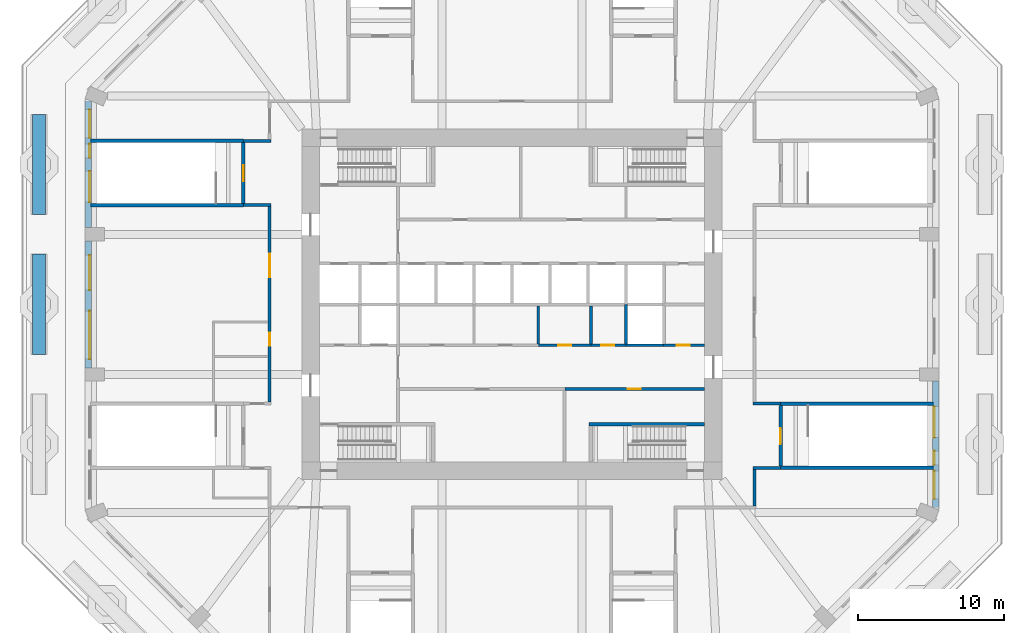
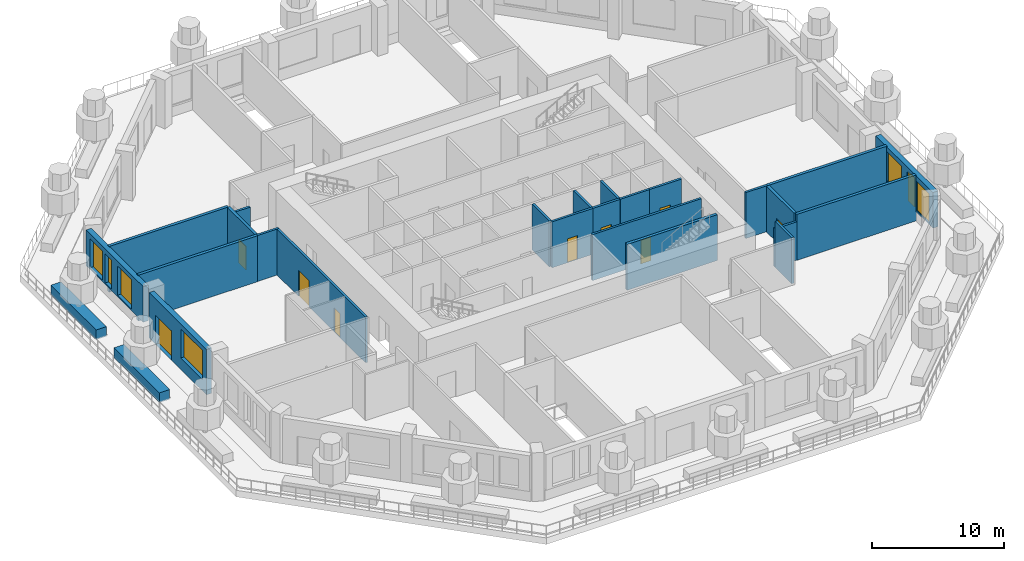
# One storey, part 5 of 13: 26 walls, 9 doors, 7 windows, 16 openings.
"""IFC4 building model written with IfcOpenShell, lengths in metres."""

import ifcopenshell
import ifcopenshell.guid

model = None  # the IFC model being written
_history = None  # IfcOwnerHistory: only IFC2X3 demands one
_inside = {}  # id of a spatial element -> (the spatial element, [elements in it])
_under = {}  # id of a project, library or spatial element -> (it, [spatial elements below it])
_declared = {}  # id of a project -> (the project, [libraries it declares])
_typed = {}  # id of a type object -> (the type object, [elements of that type])
_made_of = {}  # id of a material, layer set ... -> (it, [elements and type objects made of it])


def new_model(schema):
    """Start an empty IFC model of exactly this schema.

    Asked for "IFC4X3", IfcOpenShell would pick the latest addendum, in which some entities
    have other attributes; the version numbers below select the first issue.
    IFC2X3 requires an IfcOwnerHistory on every rooted entity: one is made here for all.
    """
    global model, _history
    if schema == "IFC4X3":
        model = ifcopenshell.file(schema_version=(4, 3, 0, 0))
    else:
        model = ifcopenshell.file(schema=schema)
    _inside.clear()
    _under.clear()
    _declared.clear()
    _typed.clear()
    _made_of.clear()
    _history = None
    if model.schema == "IFC2X3":
        org = make("IfcOrganization", Name="unknown")
        user = make(
            "IfcPersonAndOrganization",
            ThePerson=make("IfcPerson", FamilyName="unknown"),
            TheOrganization=org,
        )
        app = make(
            "IfcApplication",
            ApplicationDeveloper=org,
            Version="unknown",
            ApplicationFullName="unknown",
            ApplicationIdentifier="unknown",
        )
        _history = make(
            "IfcOwnerHistory",
            OwningUser=user,
            OwningApplication=app,
            ChangeAction="ADDED",
            CreationDate=0,
        )
    return model


def make(cls, **values):
    """One entity of the class cls with the attributes given. An attribute that is None is left unset."""
    return model.create_entity(
        cls, **{name: value for name, value in values.items() if value is not None}
    )


def rooted(cls, **values):
    """An entity with a GlobalId (a new one), such as an element, a storey or a relation."""
    return make(cls, GlobalId=ifcopenshell.guid.new(), OwnerHistory=_history, **values)


def si_unit(unit_type, name, prefix=None):
    """IfcSIUnit, for example si_unit("LENGTHUNIT", "METRE", prefix="MILLI")."""
    return make("IfcSIUnit", UnitType=unit_type, Prefix=prefix, Name=name)


def assignment(units):
    """IfcUnitAssignment: the units of a project."""
    return None if units is None else make("IfcUnitAssignment", Units=units)


def point(xyz):
    """IfcCartesianPoint."""
    return None if xyz is None else make("IfcCartesianPoint", Coordinates=xyz)


def direction(xyz):
    """IfcDirection."""
    return None if xyz is None else make("IfcDirection", DirectionRatios=xyz)


def frame(location, z_axis=None, x_axis=None):
    """IfcAxis2Placement3D, a coordinate frame: its origin and axes. An axis left out is left unset."""
    return make(
        "IfcAxis2Placement3D",
        Location=point(location),
        Axis=direction(z_axis),
        RefDirection=direction(x_axis),
    )


def frame_2d(location, x_axis=None):
    """IfcAxis2Placement2D, a coordinate frame in the plane: its origin and x axis."""
    return make(
        "IfcAxis2Placement2D", Location=point(location), RefDirection=direction(x_axis)
    )


def origin():
    """The frame at (0, 0, 0) with its axes left unset."""
    return frame((0.0, 0.0, 0.0))


def place(relative_to, where):
    """IfcLocalPlacement: puts the frame where relative to a parent placement (None: the world)."""
    return make(
        "IfcLocalPlacement", PlacementRelTo=relative_to, RelativePlacement=where
    )


def context(
    kind, dimensions, precision=None, world=None, true_north=None, identifier=None
):
    """IfcGeometricRepresentationContext, for example the 3D "Model" context."""
    return make(
        "IfcGeometricRepresentationContext",
        ContextIdentifier=identifier,
        ContextType=kind,
        CoordinateSpaceDimension=dimensions,
        Precision=precision,
        WorldCoordinateSystem=world,
        TrueNorth=true_north,
    )


def subcontext(parent, identifier, kind, view, scale=None):
    """IfcGeometricRepresentationSubContext, for example "Body" below "Model"."""
    return make(
        "IfcGeometricRepresentationSubContext",
        ContextIdentifier=identifier,
        ContextType=kind,
        ParentContext=parent,
        TargetScale=scale,
        TargetView=view,
    )


def project(units=None, contexts=None):
    """IfcProject with its units and contexts."""
    return rooted(
        "IfcProject",
        Name="project",
        RepresentationContexts=contexts,
        UnitsInContext=assignment(units),
    )


def spatial(cls, under=None, at=None, **own):
    """A site, building, storey or space (cls), placed at a placement, below another one or the project."""
    s = rooted(cls, ObjectPlacement=at, **own)
    if under is not None:
        _under.setdefault(under.id(), (under, []))[1].append(s)
    return s


def profile(cls, at=None, kind="AREA", **sizes):
    """A parametric profile (cls). Its sizes go by their IFC names, for example OverallWidth=200.0."""
    return make(cls, ProfileType=kind, Position=at, **sizes)


def rectangle(**sizes):
    """IfcRectangleProfileDef."""
    return profile("IfcRectangleProfileDef", **sizes)


def extrude(swept, where, along, depth):
    """IfcExtrudedAreaSolid: the profile swept, set in the frame where, extruded along a direction by depth."""
    return make(
        "IfcExtrudedAreaSolid",
        SweptArea=swept,
        Position=where,
        ExtrudedDirection=direction(along),
        Depth=depth,
    )


def shape(context_of_items, identifier, shape_type, items):
    """IfcShapeRepresentation: the items that make up one representation, for example the "Body"."""
    return make(
        "IfcShapeRepresentation",
        ContextOfItems=context_of_items,
        RepresentationIdentifier=identifier,
        RepresentationType=shape_type,
        Items=items,
    )


def material(Name=None, Category=None):
    """IfcMaterial."""
    return make("IfcMaterial", Name=Name, Category=Category)


def layer(
    of_material, thickness, ventilated=None, Name=None, Category=None, Priority=None
):
    """IfcMaterialLayer: one layer of a wall or slab, of a material (None: an air gap)."""
    return make(
        "IfcMaterialLayer",
        Material=of_material,
        LayerThickness=thickness,
        IsVentilated=ventilated,
        Name=Name,
        Category=Category,
        Priority=Priority,
    )


def layer_set(layers, Name=None):
    """IfcMaterialLayerSet."""
    return make("IfcMaterialLayerSet", MaterialLayers=layers, LayerSetName=Name)


def made_of(thing, what):
    """Note that an element or type object is made of a material, layer set ...; save() writes the relation."""
    if what is not None:
        _made_of.setdefault(what.id(), (what, []))[1].append(thing)
    return thing


def type_object(cls, material=None, **own):
    """A type object (cls), such as IfcWallType, which elements share."""
    return made_of(rooted(cls, **own), material)


def element(
    cls,
    number,
    at=None,
    inside=None,
    cuts=None,
    type_object=None,
    material=None,
    context=None,
    identifier="Body",
    shape_type=None,
    held_by="IfcProductDefinitionShape",
    body=None,
    shapes=None,
    **own,
):
    """One element of the class cls, such as IfcWall. Its Tag is "e" and its number.

    at: its placement. inside: the storey or other place that contains it. cuts: it is an
    opening in that element (IfcRelVoidsElement). A single representation is given by context,
    identifier, shape_type and body (its items); several are given by shapes. held_by: the class
    of the entity that holds the representations. save() writes the other relations.
    """
    e = rooted(cls, Tag="e%d" % number, ObjectPlacement=at, **own)
    if body is not None:
        shapes = [shape(context, identifier, shape_type, body)]
    if shapes is not None:
        e.Representation = make(held_by, Representations=shapes)
    if inside is not None:
        _inside.setdefault(inside.id(), (inside, []))[1].append(e)
    if cuts is not None:
        rooted(
            "IfcRelVoidsElement", RelatingBuildingElement=cuts, RelatedOpeningElement=e
        )
    if type_object is not None:
        _typed.setdefault(type_object.id(), (type_object, []))[1].append(e)
    return made_of(e, material)


def fill(opening, filler):
    """IfcRelFillsElement: the door or window that sits in an opening."""
    return rooted(
        "IfcRelFillsElement",
        RelatingOpeningElement=opening,
        RelatedBuildingElement=filler,
    )


def aggregate(whole, parts):
    """IfcRelAggregates: a whole, such as a stair, and the parts it consists of."""
    return rooted("IfcRelAggregates", RelatingObject=whole, RelatedObjects=parts)


def save(model, path):
    """Write the relations noted so far, then the file.

    IfcRelAggregates (storeys below a building ...), IfcRelContainedInSpatialStructure (elements
    in a storey), IfcRelDefinesByType, IfcRelAssociatesMaterial and IfcRelDeclares: one each for
    every whole, place, type object, material and project.
    """
    for whole, parts in _under.values():
        aggregate(whole, parts)
    for where, things in _inside.values():
        rooted(
            "IfcRelContainedInSpatialStructure",
            RelatedElements=things,
            RelatingStructure=where,
        )
    for kind, things in _typed.values():
        rooted("IfcRelDefinesByType", RelatedObjects=things, RelatingType=kind)
    for what, things in _made_of.values():
        rooted("IfcRelAssociatesMaterial", RelatedObjects=things, RelatingMaterial=what)
    for by, libraries in _declared.values():
        rooted("IfcRelDeclares", RelatingContext=by, RelatedDefinitions=libraries)
    model.write(path)


model = new_model("IFC4")

# Units and contexts
model_context = context("Model", 3, precision=1e-05, world=origin(), true_north=direction((0.0, 1.0)))
body_context = subcontext(model_context, "Body", "Model", "MODEL_VIEW")
ifc_project = project(units=[si_unit("LENGTHUNIT", "METRE"), si_unit("AREAUNIT", "SQUARE_METRE"), si_unit("VOLUMEUNIT", "CUBIC_METRE"), si_unit("PLANEANGLEUNIT", "RADIAN"), si_unit("MASSUNIT", "GRAM", prefix="KILO")], contexts=[model_context])

# Site, building, storey
site_placement = place(None, origin())
site = spatial("IfcSite", under=ifc_project, at=site_placement, CompositionType="ELEMENT")
building_placement = place(site_placement, origin())
building = spatial("IfcBuilding", under=site, at=building_placement, Name="Msitu Wima Residences", CompositionType="ELEMENT")
storey_placement = place(building_placement, frame((0.0, 0.0, 21.0)))
storey = spatial("IfcBuildingStorey", under=building, at=storey_placement, Name="L04", CompositionType="ELEMENT", Elevation=21.0)

# Wall, openings, windows
ifc_material_1 = material(Name="Brick (red buff mix), cavity wall of two leaves", Category="masonry")
ifc_layer_1 = layer(ifc_material_1, 0.449951171875)
ifc_layer_set_1 = layer_set([ifc_layer_1], Name="Brick (red buff mix), cavity wall of two leaves")
wall_type_1 = type_object("IfcWallType", Name="Brick infill wall BW450 podium", PredefinedType="ELEMENTEDWALL", material=ifc_layer_set_1)
wall_1_placement = place(storey_placement, frame((29.02490234375, -13.912841796875, 0.89990234375), z_axis=(0.0, 0.0, 1.0), x_axis=(0.0, 1.0, 0.0)))
wall_1 = element("IfcWall", 1, at=wall_1_placement, inside=storey, type_object=wall_type_1, Name="Brick infill wall L04 E0", PredefinedType="ELEMENTEDWALL", context=body_context, shape_type="SweptSolid", body=[
    extrude(rectangle(XDim=8.662841796875, YDim=0.449951171875, at=frame_2d((4.33154296875, 0.0))), origin(), (0.0, 0.0, 1.0), 3.300048828125),
])
opening_1_placement = place(wall_1_placement, frame((0.58154296875, 0.0, 0.14990234375)))
opening_1 = element("IfcOpeningElement", 2, at=opening_1_placement, cuts=wall_1, Name="Opening W04.001", PredefinedType="OPENING", context=body_context, shape_type="SweptSolid", body=[
    extrude(rectangle(XDim=1.929931640625, YDim=2.699951171875, at=frame_2d((0.96484375, 1.35009765625))), frame((0.0, 0.23486328125, 0.0), z_axis=(0.0, -1.0, 0.0), x_axis=(1.0, 0.0, 0.0)), (0.0, 0.0, 1.0), 0.469970703125),
])
opening_2_placement = place(wall_1_placement, frame((2.912841796875, 0.0, 0.14990234375)))
opening_2 = element("IfcOpeningElement", 3, at=opening_2_placement, cuts=wall_1, Name="Opening W04.002", PredefinedType="OPENING", context=body_context, shape_type="SweptSolid", body=[
    extrude(rectangle(XDim=0.969970703125, YDim=2.699951171875, at=frame_2d((0.48486328125, 1.35009765625))), frame((0.0, 0.23486328125, 0.0), z_axis=(0.0, -1.0, 0.0), x_axis=(1.0, 0.0, 0.0)), (0.0, 0.0, 1.0), 0.469970703125),
])
opening_3_placement = place(wall_1_placement, frame((4.781494140625, 0.0, 0.14990234375)))
opening_3 = element("IfcOpeningElement", 4, at=opening_3_placement, cuts=wall_1, Name="Opening W04.003", PredefinedType="OPENING", context=body_context, shape_type="SweptSolid", body=[
    extrude(rectangle(XDim=2.1298828125, YDim=2.699951171875, at=frame_2d((1.06494140625, 1.35009765625))), frame((0.0, 0.23486328125, 0.0), z_axis=(0.0, -1.0, 0.0), x_axis=(1.0, 0.0, 0.0)), (0.0, 0.0, 1.0), 0.469970703125),
])
ifc_material_2 = material(Name="Anodised aluminium, bronze finish, clear low-emissivity double glazing", Category="aluminium")
window_type_1 = type_object("IfcWindowType", Name="Window W1930x2700", PartitioningType="DOUBLE_PANEL_VERTICAL", PredefinedType="WINDOW", material=ifc_material_2)
window_1_placement = place(opening_1_placement, origin())
window_1 = element("IfcWindow", 5, at=window_1_placement, inside=storey, type_object=window_type_1, Name="Window L04 E0.1a", OverallHeight=2.699951171875, OverallWidth=1.929931640625, PartitioningType="SINGLE_PANEL", PredefinedType="WINDOW", context=body_context, shape_type="SweptSolid", body=[
    extrude(rectangle(XDim=1.929931640625, YDim=2.699951171875, at=frame_2d((0.96484375, 1.35009765625))), frame((0.0, 0.135009765625, 0.0), z_axis=(0.0, -1.0, 0.0), x_axis=(1.0, 0.0, 0.0)), (0.0, 0.0, 1.0), 0.06005859375),
])
fill(opening_1, window_1)
window_type_2 = type_object("IfcWindowType", Name="Window W2130x2700", PartitioningType="DOUBLE_PANEL_VERTICAL", PredefinedType="WINDOW", material=ifc_material_2)
window_2_placement = place(opening_3_placement, origin())
window_2 = element("IfcWindow", 6, at=window_2_placement, inside=storey, type_object=window_type_2, Name="Window L04 E0.2a", OverallHeight=2.699951171875, OverallWidth=2.1298828125, PartitioningType="SINGLE_PANEL", PredefinedType="WINDOW", context=body_context, shape_type="SweptSolid", body=[
    extrude(rectangle(XDim=2.1298828125, YDim=2.699951171875, at=frame_2d((1.06494140625, 1.35009765625))), frame((0.0, 0.135009765625, 0.0), z_axis=(0.0, -1.0, 0.0), x_axis=(1.0, 0.0, 0.0)), (0.0, 0.0, 1.0), 0.06005859375),
])
fill(opening_3, window_2)
window_type_3 = type_object("IfcWindowType", Name="Window W970x2700", PartitioningType="DOUBLE_PANEL_VERTICAL", PredefinedType="WINDOW", material=ifc_material_2)
window_3_placement = place(opening_2_placement, origin())
window_3 = element("IfcWindow", 7, at=window_3_placement, inside=storey, type_object=window_type_3, Name="Window L04 E0.1b", OverallHeight=2.699951171875, OverallWidth=0.969970703125, PartitioningType="SINGLE_PANEL", PredefinedType="WINDOW", context=body_context, shape_type="SweptSolid", body=[
    extrude(rectangle(XDim=0.969970703125, YDim=2.699951171875, at=frame_2d((0.48486328125, 1.35009765625))), frame((0.0, 0.135009765625, 0.0), z_axis=(0.0, -1.0, 0.0), x_axis=(1.0, 0.0, 0.0)), (0.0, 0.0, 1.0), 0.06005859375),
])
fill(opening_2, window_3)

wall_2_placement = place(storey_placement, frame((-29.02490234375, 13.912841796875, 0.89990234375), z_axis=(0.0, 0.0, 1.0), x_axis=(0.0, -1.0, 0.0)))
wall_2 = element("IfcWall", 8, at=wall_2_placement, inside=storey, type_object=wall_type_1, Name="Brick infill wall L04 W0", PredefinedType="ELEMENTEDWALL", context=body_context, shape_type="SweptSolid", body=[
    extrude(rectangle(XDim=8.662841796875, YDim=0.449951171875, at=frame_2d((4.33154296875, 0.0))), origin(), (0.0, 0.0, 1.0), 3.300048828125),
])
opening_4_placement = place(wall_2_placement, frame((0.58154296875, 0.0, 0.14990234375)))
opening_4 = element("IfcOpeningElement", 9, at=opening_4_placement, cuts=wall_2, Name="Opening W04.035", PredefinedType="OPENING", context=body_context, shape_type="SweptSolid", body=[
    extrude(rectangle(XDim=1.929931640625, YDim=2.699951171875, at=frame_2d((0.96484375, 1.35009765625))), frame((0.0, 0.23486328125, 0.0), z_axis=(0.0, -1.0, 0.0), x_axis=(1.0, 0.0, 0.0)), (0.0, 0.0, 1.0), 0.469970703125),
])
opening_5_placement = place(wall_2_placement, frame((2.912841796875, 0.0, 0.14990234375)))
opening_5 = element("IfcOpeningElement", 10, at=opening_5_placement, cuts=wall_2, Name="Opening W04.036", PredefinedType="OPENING", context=body_context, shape_type="SweptSolid", body=[
    extrude(rectangle(XDim=0.969970703125, YDim=2.699951171875, at=frame_2d((0.48486328125, 1.35009765625))), frame((0.0, 0.23486328125, 0.0), z_axis=(0.0, -1.0, 0.0), x_axis=(1.0, 0.0, 0.0)), (0.0, 0.0, 1.0), 0.469970703125),
])
opening_6_placement = place(wall_2_placement, frame((4.781494140625, 0.0, 0.14990234375)))
opening_6 = element("IfcOpeningElement", 11, at=opening_6_placement, cuts=wall_2, Name="Opening W04.037", PredefinedType="OPENING", context=body_context, shape_type="SweptSolid", body=[
    extrude(rectangle(XDim=2.1298828125, YDim=2.699951171875, at=frame_2d((1.06494140625, 1.35009765625))), frame((0.0, 0.23486328125, 0.0), z_axis=(0.0, -1.0, 0.0), x_axis=(1.0, 0.0, 0.0)), (0.0, 0.0, 1.0), 0.469970703125),
])
window_4_placement = place(opening_4_placement, origin())
window_4 = element("IfcWindow", 12, at=window_4_placement, inside=storey, type_object=window_type_1, Name="Window L04 W0.1a", OverallHeight=2.699951171875, OverallWidth=1.929931640625, PartitioningType="SINGLE_PANEL", PredefinedType="WINDOW", context=body_context, shape_type="SweptSolid", body=[
    extrude(rectangle(XDim=1.929931640625, YDim=2.699951171875, at=frame_2d((0.96484375, 1.35009765625))), frame((0.0, 0.135009765625, 0.0), z_axis=(0.0, -1.0, 0.0), x_axis=(1.0, 0.0, 0.0)), (0.0, 0.0, 1.0), 0.06005859375),
])
fill(opening_4, window_4)
window_5_placement = place(opening_6_placement, origin())
window_5 = element("IfcWindow", 13, at=window_5_placement, inside=storey, type_object=window_type_2, Name="Window L04 W0.2a", OverallHeight=2.699951171875, OverallWidth=2.1298828125, PartitioningType="SINGLE_PANEL", PredefinedType="WINDOW", context=body_context, shape_type="SweptSolid", body=[
    extrude(rectangle(XDim=2.1298828125, YDim=2.699951171875, at=frame_2d((1.06494140625, 1.35009765625))), frame((0.0, 0.135009765625, 0.0), z_axis=(0.0, -1.0, 0.0), x_axis=(1.0, 0.0, 0.0)), (0.0, 0.0, 1.0), 0.06005859375),
])
fill(opening_6, window_5)
window_6_placement = place(opening_5_placement, origin())
window_6 = element("IfcWindow", 14, at=window_6_placement, inside=storey, type_object=window_type_3, Name="Window L04 W0.1b", OverallHeight=2.699951171875, OverallWidth=0.969970703125, PartitioningType="SINGLE_PANEL", PredefinedType="WINDOW", context=body_context, shape_type="SweptSolid", body=[
    extrude(rectangle(XDim=0.969970703125, YDim=2.699951171875, at=frame_2d((0.48486328125, 1.35009765625))), frame((0.0, 0.135009765625, 0.0), z_axis=(0.0, -1.0, 0.0), x_axis=(1.0, 0.0, 0.0)), (0.0, 0.0, 1.0), 0.06005859375),
])
fill(opening_5, window_6)

# Wall, openings, door, window
wall_3_placement = place(storey_placement, frame((-29.02490234375, 4.35009765625, 0.0), z_axis=(0.0, 0.0, 1.0), x_axis=(0.0, -1.0, 0.0)))
wall_3 = element("IfcWall", 15, at=wall_3_placement, inside=storey, type_object=wall_type_1, Name="Brick infill wall L04 W1", PredefinedType="ELEMENTEDWALL", context=body_context, shape_type="SweptSolid", body=[
    extrude(rectangle(XDim=8.7001953125, YDim=0.449951171875, at=frame_2d((4.35009765625, 0.0))), origin(), (0.0, 0.0, 1.0), 4.199951171875),
])
opening_7_placement = place(wall_3_placement, frame((0.97509765625, 0.0, 0.0)))
opening_7 = element("IfcOpeningElement", 16, at=opening_7_placement, cuts=wall_3, Name="Opening D04.008", PredefinedType="OPENING", context=body_context, shape_type="SweptSolid", body=[
    extrude(rectangle(XDim=2.39990234375, YDim=2.699951171875, at=frame_2d((1.199951171875, 1.35009765625))), frame((0.0, 0.23486328125, 0.0), z_axis=(0.0, -1.0, 0.0), x_axis=(1.0, 0.0, 0.0)), (0.0, 0.0, 1.0), 0.469970703125),
])
opening_8_placement = place(wall_3_placement, frame((4.800048828125, 0.0, 1.050048828125)))
opening_8 = element("IfcOpeningElement", 17, at=opening_8_placement, cuts=wall_3, Name="Opening W04.038", PredefinedType="OPENING", context=body_context, shape_type="SweptSolid", body=[
    extrude(rectangle(XDim=3.300048828125, YDim=2.699951171875, at=frame_2d((1.64990234375, 1.35009765625))), frame((0.0, 0.23486328125, 0.0), z_axis=(0.0, -1.0, 0.0), x_axis=(1.0, 0.0, 0.0)), (0.0, 0.0, 1.0), 0.469970703125),
])
door_type_1 = type_object("IfcDoorType", Name="Balcony door D2400x2700", OperationType="SLIDING_TO_LEFT", PredefinedType="DOOR", material=ifc_material_2)
door_1_placement = place(opening_7_placement, origin())
door_1 = element("IfcDoor", 18, at=door_1_placement, inside=storey, type_object=door_type_1, Name="Terrace door L04 W1", OperationType="SINGLE_SWING_LEFT", OverallHeight=2.699951171875, OverallWidth=2.39990234375, PredefinedType="DOOR", context=body_context, shape_type="SweptSolid", body=[
    extrude(rectangle(XDim=2.39990234375, YDim=2.699951171875, at=frame_2d((1.199951171875, 1.35009765625))), frame((0.0, 0.1298828125, 0.0), z_axis=(0.0, -1.0, 0.0), x_axis=(1.0, 0.0, 0.0)), (0.0, 0.0, 1.0), 0.050048828125),
])
fill(opening_7, door_1)
window_type_4 = type_object("IfcWindowType", Name="Window W3300x2700", PartitioningType="DOUBLE_PANEL_VERTICAL", PredefinedType="WINDOW", material=ifc_material_2)
window_7_placement = place(opening_8_placement, origin())
window_7 = element("IfcWindow", 19, at=window_7_placement, inside=storey, type_object=window_type_4, Name="Window L04 W1.2", OverallHeight=2.699951171875, OverallWidth=3.300048828125, PartitioningType="SINGLE_PANEL", PredefinedType="WINDOW", context=body_context, shape_type="SweptSolid", body=[
    extrude(rectangle(XDim=3.300048828125, YDim=2.699951171875, at=frame_2d((1.64990234375, 1.35009765625))), frame((0.0, 0.135009765625, 0.0), z_axis=(0.0, -1.0, 0.0), x_axis=(1.0, 0.0, 0.0)), (0.0, 0.0, 1.0), 0.06005859375),
])
fill(opening_8, window_7)

# Walls
ifc_material_3 = material(Name="Plaster")
ifc_layer_2 = layer(ifc_material_3, 0.011962890625, Name="Plaster")
ifc_material_4 = material(Name="Concrete blockwork", Category="masonry")
ifc_layer_3 = layer(ifc_material_4, 0.176025390625, Name="Concrete blockwork")
ifc_layer_4 = layer(ifc_material_3, 0.011962890625, Name="Plaster")
ifc_layer_set_2 = layer_set([ifc_layer_2, ifc_layer_3, ifc_layer_4], Name="Concrete blockwork")
wall_type_2 = type_object("IfcWallType", Name="Corridor wall FW200", PredefinedType="PARTITIONING", material=ifc_layer_set_2)
wall_4_placement = place(storey_placement, frame((-18.39990234375, 6.800048828125, 0.0), z_axis=(0.0, 0.0, 1.0), x_axis=(1.0, 0.0, 0.0)))
element("IfcWall", 20, at=wall_4_placement, inside=storey, type_object=wall_type_2, Name="Corridor wall", PredefinedType="PARTITIONING", context=body_context, shape_type="SweptSolid", body=[
    extrude(rectangle(XDim=1.89990234375, YDim=0.199951171875, at=frame_2d((0.949951171875, 0.0))), origin(), (0.0, 0.0, 1.0), 4.25),
])
wall_5_placement = place(storey_placement, frame((-18.39990234375, 11.199951171875, 0.0), z_axis=(0.0, 0.0, 1.0), x_axis=(1.0, 0.0, 0.0)))
element("IfcWall", 21, at=wall_5_placement, inside=storey, type_object=wall_type_2, Name="Corridor wall", PredefinedType="PARTITIONING", context=body_context, shape_type="SweptSolid", body=[
    extrude(rectangle(XDim=1.89990234375, YDim=0.199951171875, at=frame_2d((0.949951171875, 0.0))), origin(), (0.0, 0.0, 1.0), 3.550048828125),
])

# Wall, openings, doors
wall_6_placement = place(storey_placement, frame((-16.60009765625, -6.699951171875, 0.0), z_axis=(0.0, 0.0, 1.0), x_axis=(0.0, 1.0, 0.0)))
wall_6 = element("IfcWall", 22, at=wall_6_placement, inside=storey, type_object=wall_type_2, Name="Corridor wall", PredefinedType="PARTITIONING", context=body_context, shape_type="SweptSolid", body=[
    extrude(rectangle(XDim=13.39990234375, YDim=0.199951171875, at=frame_2d((6.699951171875, 0.0))), origin(), (0.0, 0.0, 1.0), 4.25),
])
opening_9_placement = place(wall_6_placement, frame((8.550048828125, 0.0, 0.0)))
opening_9 = element("IfcOpeningElement", 23, at=opening_9_placement, cuts=wall_6, Name="Opening D04.029", PredefinedType="OPENING", context=body_context, shape_type="SweptSolid", body=[
    extrude(rectangle(XDim=1.60009765625, YDim=2.39990234375, at=frame_2d((0.800048828125, 1.199951171875))), frame((0.0, 0.10986328125, 0.0), z_axis=(0.0, -1.0, 0.0), x_axis=(1.0, 0.0, 0.0)), (0.0, 0.0, 1.0), 0.219970703125),
])
opening_10_placement = place(wall_6_placement, frame((3.85009765625, 0.0, 0.0)))
opening_10 = element("IfcOpeningElement", 24, at=opening_10_placement, cuts=wall_6, Name="Opening D04.035", PredefinedType="OPENING", context=body_context, shape_type="SweptSolid", body=[
    extrude(rectangle(XDim=0.89990234375, YDim=2.199951171875, at=frame_2d((0.449951171875, 1.10009765625))), frame((0.0, 0.10986328125, 0.0), z_axis=(0.0, -1.0, 0.0), x_axis=(1.0, 0.0, 0.0)), (0.0, 0.0, 1.0), 0.219970703125),
])
ifc_material_5 = material(Name="Black aluminium glazed door", Category="aluminium")
door_type_2 = type_object("IfcDoorType", Name="Amenity door D10 1600x2400", OperationType="DOUBLE_DOOR_SINGLE_SWING", PredefinedType="DOOR", material=ifc_material_5)
door_2_placement = place(opening_9_placement, origin())
door_2 = element("IfcDoor", 25, at=door_2_placement, inside=storey, type_object=door_type_2, Name="Amenity door", OperationType="DOUBLE_DOOR_SINGLE_SWING", OverallHeight=2.39990234375, OverallWidth=1.60009765625, PredefinedType="DOOR", context=body_context, shape_type="SweptSolid", body=[
    extrude(rectangle(XDim=1.60009765625, YDim=2.39990234375, at=frame_2d((0.800048828125, 1.199951171875))), frame((0.0, 0.02490234375, 0.0), z_axis=(0.0, -1.0, 0.0), x_axis=(1.0, 0.0, 0.0)), (0.0, 0.0, 1.0), 0.050048828125),
])
fill(opening_9, door_2)
ifc_material_6 = material(Name="Timber flush door, moisture resistant", Category="wood")
door_type_3 = type_object("IfcDoorType", Name="Bathroom door D03 900x2200", OperationType="SINGLE_SWING_LEFT", PredefinedType="DOOR", material=ifc_material_6)
door_3_placement = place(opening_10_placement, origin())
door_3 = element("IfcDoor", 26, at=door_3_placement, inside=storey, type_object=door_type_3, Name="Bathroom door", OperationType="SINGLE_SWING_LEFT", OverallHeight=2.199951171875, OverallWidth=0.89990234375, PredefinedType="DOOR", context=body_context, shape_type="SweptSolid", body=[
    extrude(rectangle(XDim=0.89990234375, YDim=2.199951171875, at=frame_2d((0.449951171875, 1.10009765625))), frame((0.0, 0.02490234375, 0.0), z_axis=(0.0, -1.0, 0.0), x_axis=(1.0, 0.0, 0.0)), (0.0, 0.0, 1.0), 0.050048828125),
])
fill(opening_10, door_3)

# Wall, opening, door
wall_7_placement = place(storey_placement, frame((3.6201171875, -5.800048828125, 0.0), z_axis=(0.0, 0.0, 1.0), x_axis=(1.0, 0.0, 0.0)))
wall_7 = element("IfcWall", 27, at=wall_7_placement, inside=storey, type_object=wall_type_2, Name="Corridor wall", PredefinedType="PARTITIONING", context=body_context, shape_type="SweptSolid", body=[
    extrude(rectangle(XDim=9.5498046875, YDim=0.199951171875, at=frame_2d((4.77490234375, 0.0))), origin(), (0.0, 0.0, 1.0), 4.25),
])
opening_11_placement = place(wall_7_placement, frame((4.300048828125, 0.0, 0.0)))
opening_11 = element("IfcOpeningElement", 28, at=opening_11_placement, cuts=wall_7, Name="Opening D04.016", PredefinedType="OPENING", context=body_context, shape_type="SweptSolid", body=[
    extrude(rectangle(XDim=0.89990234375, YDim=2.199951171875, at=frame_2d((0.449951171875, 1.10009765625))), frame((0.0, 0.10986328125, 0.0), z_axis=(0.0, -1.0, 0.0), x_axis=(1.0, 0.0, 0.0)), (0.0, 0.0, 1.0), 0.219970703125),
])
ifc_material_7 = material(Name="Timber flush door", Category="wood")
door_type_4 = type_object("IfcDoorType", Name="Service door D05 900x2200", OperationType="SINGLE_SWING_LEFT", PredefinedType="DOOR", material=ifc_material_7)
door_4_placement = place(opening_11_placement, origin())
door_4 = element("IfcDoor", 29, at=door_4_placement, inside=storey, type_object=door_type_4, Name="Service door", OperationType="SINGLE_SWING_RIGHT", OverallHeight=2.199951171875, OverallWidth=0.89990234375, PredefinedType="DOOR", context=body_context, shape_type="SweptSolid", body=[
    extrude(rectangle(XDim=0.89990234375, YDim=2.199951171875, at=frame_2d((0.449951171875, 1.10009765625))), frame((0.0, 0.02490234375, 0.0), z_axis=(0.0, -1.0, 0.0), x_axis=(1.0, 0.0, 0.0)), (0.0, 0.0, 1.0), 0.050048828125),
])
fill(opening_11, door_4)

wall_8_placement = place(storey_placement, frame((5.419921875, -2.800048828125, 0.0), z_axis=(0.0, 0.0, 1.0), x_axis=(1.0, 0.0, 0.0)))
wall_8 = element("IfcWall", 30, at=wall_8_placement, inside=storey, type_object=wall_type_2, Name="Corridor wall", PredefinedType="PARTITIONING", context=body_context, shape_type="SweptSolid", body=[
    extrude(rectangle(XDim=2.380126953125, YDim=0.199951171875, at=frame_2d((1.18994140625, 0.0))), origin(), (0.0, 0.0, 1.0), 4.25),
])
opening_12_placement = place(wall_8_placement, frame((0.699951171875, 0.0, 0.0)))
opening_12 = element("IfcOpeningElement", 31, at=opening_12_placement, cuts=wall_8, Name="Opening D04.022", PredefinedType="OPENING", context=body_context, shape_type="SweptSolid", body=[
    extrude(rectangle(XDim=0.89990234375, YDim=2.199951171875, at=frame_2d((0.449951171875, 1.10009765625))), frame((0.0, 0.10986328125, 0.0), z_axis=(0.0, -1.0, 0.0), x_axis=(1.0, 0.0, 0.0)), (0.0, 0.0, 1.0), 0.219970703125),
])
door_5_placement = place(opening_12_placement, origin())
door_5 = element("IfcDoor", 32, at=door_5_placement, inside=storey, type_object=door_type_4, Name="Service door", OperationType="SINGLE_SWING_LEFT", OverallHeight=2.199951171875, OverallWidth=0.89990234375, PredefinedType="DOOR", context=body_context, shape_type="SweptSolid", body=[
    extrude(rectangle(XDim=0.89990234375, YDim=2.199951171875, at=frame_2d((0.449951171875, 1.10009765625))), frame((0.0, 0.02490234375, 0.0), z_axis=(0.0, -1.0, 0.0), x_axis=(1.0, 0.0, 0.0)), (0.0, 0.0, 1.0), 0.050048828125),
])
fill(opening_12, door_5)

# Walls
wall_9_placement = place(storey_placement, frame((16.60009765625, -13.8134765625, 0.0), z_axis=(0.0, 0.0, 1.0), x_axis=(0.0, 1.0, 0.0)))
element("IfcWall", 33, at=wall_9_placement, inside=storey, type_object=wall_type_2, Name="Corridor wall", PredefinedType="PARTITIONING", context=body_context, shape_type="SweptSolid", body=[
    extrude(rectangle(XDim=2.513427734375, YDim=0.199951171875, at=frame_2d((1.2568359375, 0.0))), origin(), (0.0, 0.0, 1.0), 4.25),
])
wall_10_placement = place(storey_placement, frame((16.5, -11.199951171875, 0.0), z_axis=(0.0, 0.0, 1.0), x_axis=(1.0, 0.0, 0.0)))
element("IfcWall", 34, at=wall_10_placement, inside=storey, type_object=wall_type_2, Name="Corridor wall", PredefinedType="PARTITIONING", context=body_context, shape_type="SweptSolid", body=[
    extrude(rectangle(XDim=1.89990234375, YDim=0.199951171875, at=frame_2d((0.949951171875, 0.0))), origin(), (0.0, 0.0, 1.0), 3.550048828125),
])
wall_11_placement = place(storey_placement, frame((16.5, -6.800048828125, 0.0), z_axis=(0.0, 0.0, 1.0), x_axis=(1.0, 0.0, 0.0)))
element("IfcWall", 35, at=wall_11_placement, inside=storey, type_object=wall_type_2, Name="Corridor wall", PredefinedType="PARTITIONING", context=body_context, shape_type="SweptSolid", body=[
    extrude(rectangle(XDim=1.89990234375, YDim=0.199951171875, at=frame_2d((0.949951171875, 0.0))), origin(), (0.0, 0.0, 1.0), 4.25),
])

# Wall, opening, door
ifc_layer_5 = layer(ifc_material_3, 0.011962890625, Name="Plaster")
ifc_material_8 = material(Name="Reinforced concrete blockwork", Category="masonry")
ifc_layer_6 = layer(ifc_material_8, 0.176025390625, Name="Reinforced concrete blockwork")
ifc_layer_7 = layer(ifc_material_3, 0.011962890625, Name="Plaster")
ifc_layer_set_3 = layer_set([ifc_layer_5, ifc_layer_6, ifc_layer_7], Name="Reinforced concrete blockwork")
wall_type_3 = type_object("IfcWallType", Name="Plant and riser wall PL200", PredefinedType="PARTITIONING", material=ifc_layer_set_3)
wall_12_placement = place(storey_placement, frame((1.820068359375, -2.800048828125, 0.0), z_axis=(0.0, 0.0, 1.0), x_axis=(1.0, 0.0, 0.0)))
wall_12 = element("IfcWall", 36, at=wall_12_placement, inside=storey, type_object=wall_type_3, Name="Plant and riser wall", PredefinedType="PARTITIONING", context=body_context, shape_type="SweptSolid", body=[
    extrude(rectangle(XDim=3.599853515625, YDim=0.199951171875, at=frame_2d((1.7998046875, 0.0))), origin(), (0.0, 0.0, 1.0), 4.25),
])
opening_13_placement = place(wall_12_placement, frame((1.35009765625, 0.0, 0.0)))
opening_13 = element("IfcOpeningElement", 37, at=opening_13_placement, cuts=wall_12, Name="Opening D04.021", PredefinedType="OPENING", context=body_context, shape_type="SweptSolid", body=[
    extrude(rectangle(XDim=0.89990234375, YDim=2.199951171875, at=frame_2d((0.449951171875, 1.10009765625))), frame((0.0, 0.10986328125, 0.0), z_axis=(0.0, -1.0, 0.0), x_axis=(1.0, 0.0, 0.0)), (0.0, 0.0, 1.0), 0.219970703125),
])
door_6_placement = place(opening_13_placement, origin())
door_6 = element("IfcDoor", 38, at=door_6_placement, inside=storey, type_object=door_type_4, Name="Service door", OperationType="SINGLE_SWING_RIGHT", OverallHeight=2.199951171875, OverallWidth=0.89990234375, PredefinedType="DOOR", context=body_context, shape_type="SweptSolid", body=[
    extrude(rectangle(XDim=0.89990234375, YDim=2.199951171875, at=frame_2d((0.449951171875, 1.10009765625))), frame((0.0, 0.02490234375, 0.0), z_axis=(0.0, -1.0, 0.0), x_axis=(1.0, 0.0, 0.0)), (0.0, 0.0, 1.0), 0.050048828125),
])
fill(opening_13, door_6)

# Walls
for number, where, z_axis, x_axis, name in (
    (39, (1.800048828125, -2.699951171875, 0.0), (0.0, 0.0, 1.0), (0.0, 1.0, 0.0), "Plant and riser wall"),
    (40, (5.39990234375, -2.699951171875, 0.0), (0.0, 0.0, 1.0), (0.0, 1.0, 0.0), "Plant and riser wall"),
):
    element("IfcWall", number, at=place(storey_placement, frame(where, z_axis=z_axis, x_axis=x_axis)), inside=storey, type_object=wall_type_3, Name=name, PredefinedType="PARTITIONING", context=body_context, shape_type="SweptSolid", body=[
        extrude(rectangle(XDim=2.599853515625, YDim=0.199951171875, at=frame_2d((1.2998046875, 0.0))), origin(), (0.0, 0.0, 1.0), 4.25),
    ])

# Wall, opening, door
wall_13_placement = place(storey_placement, frame((10.3798828125, -2.800048828125, 0.0), z_axis=(0.0, 0.0, 1.0), x_axis=(1.0, 0.0, 0.0)))
wall_13 = element("IfcWall", 41, at=wall_13_placement, inside=storey, type_object=wall_type_3, Name="Plant and riser wall", PredefinedType="PARTITIONING", context=body_context, shape_type="SweptSolid", body=[
    extrude(rectangle(XDim=2.7900390625, YDim=0.199951171875, at=frame_2d((1.39501953125, 0.0))), origin(), (0.0, 0.0, 1.0), 4.25),
])
opening_14_placement = place(wall_13_placement, frame((0.89990234375, 0.0, 0.0)))
opening_14 = element("IfcOpeningElement", 42, at=opening_14_placement, cuts=wall_13, Name="Opening D04.009", PredefinedType="OPENING", context=body_context, shape_type="SweptSolid", body=[
    extrude(rectangle(XDim=0.89990234375, YDim=2.199951171875, at=frame_2d((0.449951171875, 1.10009765625))), frame((0.0, 0.10986328125, 0.0), z_axis=(0.0, -1.0, 0.0), x_axis=(1.0, 0.0, 0.0)), (0.0, 0.0, 1.0), 0.219970703125),
])
door_7_placement = place(opening_14_placement, origin())
door_7 = element("IfcDoor", 43, at=door_7_placement, inside=storey, type_object=door_type_4, Name="Service door", OperationType="SINGLE_SWING_LEFT", OverallHeight=2.199951171875, OverallWidth=0.89990234375, PredefinedType="DOOR", context=body_context, shape_type="SweptSolid", body=[
    extrude(rectangle(XDim=0.89990234375, YDim=2.199951171875, at=frame_2d((0.449951171875, 1.10009765625))), frame((0.0, 0.02490234375, 0.0), z_axis=(0.0, -1.0, 0.0), x_axis=(1.0, 0.0, 0.0)), (0.0, 0.0, 1.0), 0.050048828125),
])
fill(opening_14, door_7)

# Walls
ifc_material_9 = material(Name="Fire-rated board")
ifc_layer_8 = layer(ifc_material_9, 0.02490234375, Name="Fire-rated board")
ifc_material_10 = material(Name="Light-gauge stud framing with mineral wool")
ifc_layer_9 = layer(ifc_material_10, 0.14990234375, Name="Light-gauge stud framing with mineral wool")
ifc_layer_10 = layer(ifc_material_9, 0.02490234375, Name="Fire-rated board")
ifc_layer_set_4 = layer_set([ifc_layer_8, ifc_layer_9, ifc_layer_10], Name="Light-gauge stud framing with mineral wool")
wall_type_4 = type_object("IfcWallType", Name="Shaft wall SH200", PredefinedType="PARTITIONING", material=ifc_layer_set_4)
wall_14_placement = place(storey_placement, frame((7.800048828125, -2.699951171875, 0.0), z_axis=(0.0, 0.0, 1.0), x_axis=(0.0, 1.0, 0.0)))
element("IfcWall", 44, at=wall_14_placement, inside=storey, type_object=wall_type_4, Name="Shaft wall", PredefinedType="PARTITIONING", context=body_context, shape_type="SweptSolid", body=[
    extrude(rectangle(XDim=2.699951171875, YDim=0.199951171875, at=frame_2d((1.35009765625, 0.0))), origin(), (0.0, 0.0, 1.0), 4.25),
])
wall_15_placement = place(storey_placement, frame((7.800048828125, -2.800048828125, 0.0), z_axis=(0.0, 0.0, 1.0), x_axis=(1.0, 0.0, 0.0)))
element("IfcWall", 45, at=wall_15_placement, inside=storey, type_object=wall_type_4, Name="Shaft wall", PredefinedType="PARTITIONING", context=body_context, shape_type="SweptSolid", body=[
    extrude(rectangle(XDim=2.579833984375, YDim=0.199951171875, at=frame_2d((1.2900390625, 0.0))), origin(), (0.0, 0.0, 1.0), 4.25),
])
ifc_material_11 = material(Name="Concrete C50/60", Category="concrete")
ifc_layer_11 = layer(ifc_material_11, 0.25)
ifc_layer_set_5 = layer_set([ifc_layer_11], Name="Concrete C50/60")
wall_type_5 = type_object("IfcWallType", Name="Stair enclosure wall SW250", PredefinedType="SHEAR", material=ifc_layer_set_5)
for number, where, z_axis, x_axis, name in (
    (46, (-28.85498046875, 6.800048828125, 0.0), (0.0, 0.0, 1.0), (1.0, 0.0, 0.0), "Stair enclosure wall"),
    (47, (-28.85498046875, 11.199951171875, 0.0), (0.0, 0.0, 1.0), (1.0, 0.0, 0.0), "Stair enclosure wall"),
):
    element("IfcWall", number, at=place(storey_placement, frame(where, z_axis=z_axis, x_axis=x_axis)), inside=storey, type_object=wall_type_5, Name=name, PredefinedType="SHEAR", context=body_context, shape_type="SweptSolid", body=[
        extrude(rectangle(XDim=10.455078125, YDim=0.25, at=frame_2d((5.2275390625, 0.0))), origin(), (0.0, 0.0, 1.0), 4.25),
    ])

# Wall, opening, door
wall_16_placement = place(storey_placement, frame((-18.39990234375, 6.925048828125, 0.0), z_axis=(0.0, 0.0, 1.0), x_axis=(0.0, 1.0, 0.0)))
wall_16 = element("IfcWall", 48, at=wall_16_placement, inside=storey, type_object=wall_type_5, Name="Stair enclosure wall", PredefinedType="SHEAR", context=body_context, shape_type="SweptSolid", body=[
    extrude(rectangle(XDim=4.14990234375, YDim=0.25, at=frame_2d((2.074951171875, 0.0))), origin(), (0.0, 0.0, 1.0), 4.25),
])
opening_15_placement = place(wall_16_placement, frame((1.5, 0.0, 0.0)))
opening_15 = element("IfcOpeningElement", 49, at=opening_15_placement, cuts=wall_16, Name="Opening D04.044", PredefinedType="OPENING", context=body_context, shape_type="SweptSolid", body=[
    extrude(rectangle(XDim=1.10009765625, YDim=2.199951171875, at=frame_2d((0.550048828125, 1.10009765625))), frame((0.0, 0.135009765625, 0.0), z_axis=(0.0, -1.0, 0.0), x_axis=(1.0, 0.0, 0.0)), (0.0, 0.0, 1.0), 0.27001953125),
])
ifc_material_12 = material(Name="Steel door, fire resisting, panic bar", Category="steel")
door_type_5 = type_object("IfcDoorType", Name="Stair door D13 1100x2200", OperationType="SINGLE_SWING_LEFT", PredefinedType="DOOR", material=ifc_material_12)
door_8_placement = place(opening_15_placement, origin())
door_8 = element("IfcDoor", 50, at=door_8_placement, inside=storey, type_object=door_type_5, Name="Stair door", OperationType="SINGLE_SWING_LEFT", OverallHeight=2.199951171875, OverallWidth=1.10009765625, PredefinedType="DOOR", context=body_context, shape_type="SweptSolid", body=[
    extrude(rectangle(XDim=1.10009765625, YDim=2.199951171875, at=frame_2d((0.550048828125, 1.10009765625))), frame((0.0, 0.02490234375, 0.0), z_axis=(0.0, -1.0, 0.0), x_axis=(1.0, 0.0, 0.0)), (0.0, 0.0, 1.0), 0.050048828125),
])
fill(opening_15, door_8)

# Wall
wall_17_placement = place(storey_placement, frame((5.27490234375, -8.199951171875, 0.0), z_axis=(0.0, 0.0, 1.0), x_axis=(1.0, 0.0, 0.0)))
element("IfcWall", 51, at=wall_17_placement, inside=storey, type_object=wall_type_5, Name="Stair enclosure wall", PredefinedType="SHEAR", context=body_context, shape_type="SweptSolid", body=[
    extrude(rectangle(XDim=7.89501953125, YDim=0.25, at=frame_2d((3.947509765625, 0.0))), origin(), (0.0, 0.0, 1.0), 4.25),
])

# Wall, opening, door
wall_18_placement = place(storey_placement, frame((18.39990234375, -11.074951171875, 0.0), z_axis=(0.0, 0.0, 1.0), x_axis=(0.0, 1.0, 0.0)))
wall_18 = element("IfcWall", 52, at=wall_18_placement, inside=storey, type_object=wall_type_5, Name="Stair enclosure wall", PredefinedType="SHEAR", context=body_context, shape_type="SweptSolid", body=[
    extrude(rectangle(XDim=4.14990234375, YDim=0.25, at=frame_2d((2.074951171875, 0.0))), origin(), (0.0, 0.0, 1.0), 4.25),
])
opening_16_placement = place(wall_18_placement, frame((1.5, 0.0, 0.0)))
opening_16 = element("IfcOpeningElement", 53, at=opening_16_placement, cuts=wall_18, Name="Opening D04.040", PredefinedType="OPENING", context=body_context, shape_type="SweptSolid", body=[
    extrude(rectangle(XDim=1.10009765625, YDim=2.199951171875, at=frame_2d((0.550048828125, 1.10009765625))), frame((0.0, 0.135009765625, 0.0), z_axis=(0.0, -1.0, 0.0), x_axis=(1.0, 0.0, 0.0)), (0.0, 0.0, 1.0), 0.27001953125),
])
door_9_placement = place(opening_16_placement, origin())
door_9 = element("IfcDoor", 54, at=door_9_placement, inside=storey, type_object=door_type_5, Name="Stair door", OperationType="SINGLE_SWING_RIGHT", OverallHeight=2.199951171875, OverallWidth=1.10009765625, PredefinedType="DOOR", context=body_context, shape_type="SweptSolid", body=[
    extrude(rectangle(XDim=1.10009765625, YDim=2.199951171875, at=frame_2d((0.550048828125, 1.10009765625))), frame((0.0, 0.02490234375, 0.0), z_axis=(0.0, -1.0, 0.0), x_axis=(1.0, 0.0, 0.0)), (0.0, 0.0, 1.0), 0.050048828125),
])
fill(opening_16, door_9)

# Walls
for number, where, z_axis, x_axis, name in (
    (55, (18.39990234375, -11.199951171875, 0.0), (0.0, 0.0, 1.0), (1.0, 0.0, 0.0), "Stair enclosure wall"),
    (56, (18.39990234375, -6.800048828125, 0.0), (0.0, 0.0, 1.0), (1.0, 0.0, 0.0), "Stair enclosure wall"),
):
    element("IfcWall", number, at=place(storey_placement, frame(where, z_axis=z_axis, x_axis=x_axis)), inside=storey, type_object=wall_type_5, Name=name, PredefinedType="SHEAR", context=body_context, shape_type="SweptSolid", body=[
        extrude(rectangle(XDim=10.455078125, YDim=0.25, at=frame_2d((5.2275390625, 0.0))), origin(), (0.0, 0.0, 1.0), 4.25),
    ])
ifc_material_13 = material(Name="Facing brick")
ifc_layer_12 = layer(ifc_material_13, 0.06494140625, Name="Facing brick")
ifc_material_14 = material(Name="Concrete C40/50", Category="concrete")
ifc_layer_13 = layer(ifc_material_14, 0.381103515625, Name="Concrete C40/50")
ifc_material_15 = material(Name="Waterproofing membrane")
ifc_layer_14 = layer(ifc_material_15, 0.00390625, Name="Waterproofing membrane")
ifc_material_16 = material(Name="Planting soil and planting")
ifc_layer_15 = layer(ifc_material_16, 0.449951171875, Name="Planting soil and planting")
ifc_layer_set_6 = layer_set([ifc_layer_12, ifc_layer_13, ifc_layer_14, ifc_layer_15], Name="Concrete C40/50")
wall_type_6 = type_object("IfcWallType", Name="Terrace planter PLANTER PL900", PredefinedType="USERDEFINED", material=ifc_layer_set_6)
wall_19_placement = place(storey_placement, frame((-32.39990234375, 13.012939453125, 0.0), z_axis=(0.0, 0.0, 1.0), x_axis=(0.0, -1.0, 0.0)))
element("IfcWall", 57, at=wall_19_placement, inside=storey, type_object=wall_type_6, Name="Terrace planter L04 W0", ObjectType="PLANTER", PredefinedType="USERDEFINED", context=body_context, shape_type="SweptSolid", body=[
    extrude(rectangle(XDim=6.863037109375, YDim=0.89990234375, at=frame_2d((3.431640625, 0.0))), origin(), (0.0, 0.0, 1.0), 0.89990234375),
])
wall_20_placement = place(storey_placement, frame((-32.39990234375, 3.449951171875, 0.0), z_axis=(0.0, 0.0, 1.0), x_axis=(0.0, -1.0, 0.0)))
element("IfcWall", 58, at=wall_20_placement, inside=storey, type_object=wall_type_6, Name="Terrace planter L04 W1", ObjectType="PLANTER", PredefinedType="USERDEFINED", context=body_context, shape_type="SweptSolid", body=[
    extrude(rectangle(XDim=6.89990234375, YDim=0.89990234375, at=frame_2d((3.449951171875, 0.0))), origin(), (0.0, 0.0, 1.0), 0.89990234375),
])

save(model, "model.ifc")
